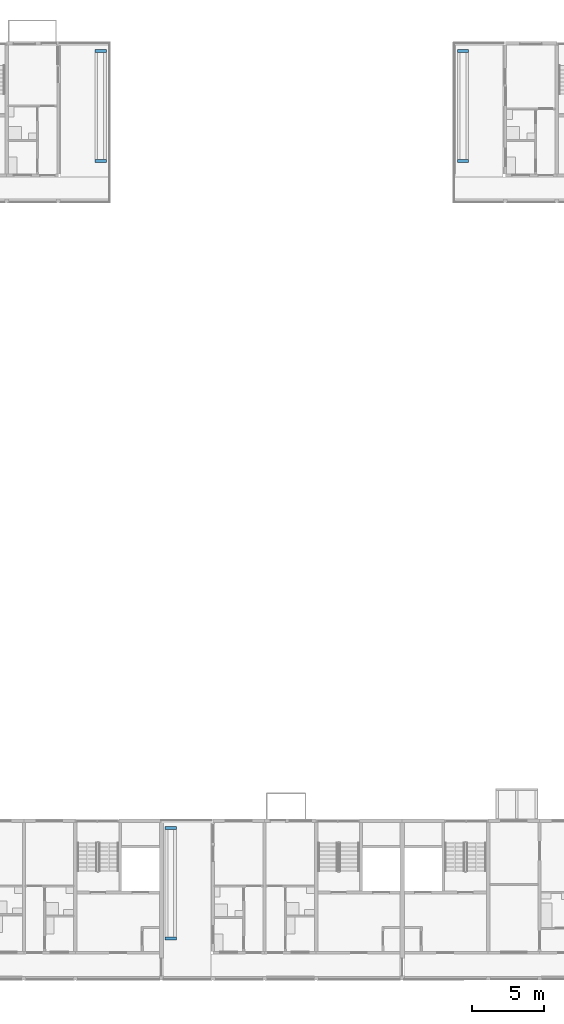
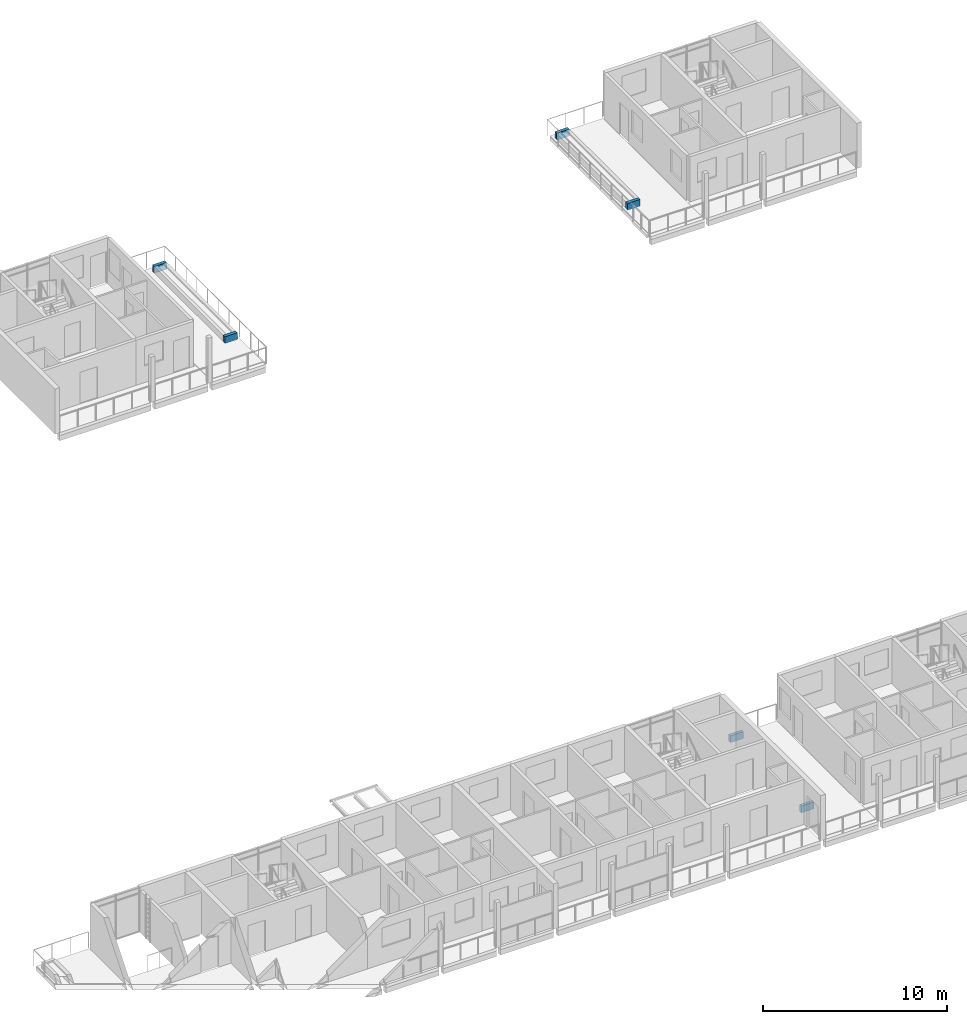
# One storey, part 42 of 64: 6 walls.
"""IFC4 building model written with IfcOpenShell, lengths in metres."""

from ifc_helpers import new_model, si_unit, direction, frame, frame_2d, origin, place, context, subcontext, project, spatial, rectangle, extrude, material, layer, layer_set, type_object, element, save


model = new_model("IFC4")

# Units and contexts
model_context = context("Model", 3, precision=1e-05, world=origin(), true_north=direction((0.0, 1.0)))
body_context = subcontext(model_context, "Body", "Model", "MODEL_VIEW")
ifc_project = project(units=[si_unit("LENGTHUNIT", "METRE"), si_unit("AREAUNIT", "SQUARE_METRE"), si_unit("VOLUMEUNIT", "CUBIC_METRE"), si_unit("PLANEANGLEUNIT", "RADIAN"), si_unit("MASSUNIT", "GRAM", prefix="KILO")], contexts=[model_context])

# Site, building, storey
site_placement = place(None, origin())
site = spatial("IfcSite", under=ifc_project, at=site_placement, CompositionType="ELEMENT")
building_placement = place(site_placement, origin())
building = spatial("IfcBuilding", under=site, at=building_placement, Name="Ridgestep Commons", CompositionType="ELEMENT")
storey_placement = place(building_placement, frame((0.0, 0.0, 33.0)))
storey = spatial("IfcBuildingStorey", under=building, at=storey_placement, Name="L11", CompositionType="ELEMENT", Elevation=33.0)

# Walls
ifc_material = material(Name="Facing brick", Category="masonry")
ifc_layer = layer(ifc_material, 0.199951171875)
ifc_layer_set = layer_set([ifc_layer], Name="Planter wall 200")
wall_type = type_object("IfcWallType", Name="Planter wall 200", PredefinedType="SOLIDWALL", material=ifc_layer_set)
for number, where, z_axis, x_axis, name in (
    (1, (197.449951171875, 14.64990234375, 0.010009765625), (0.0, 0.0, 1.0), (1.0, 0.0, 0.0), "Planter wall D4R1S"),
    (2, (197.449951171875, 22.35009765625, 0.010009765625), (0.0, 0.0, 1.0), (1.0, 0.0, 0.0), "Planter wall D4R1N"),
    (3, (192.550048828125, 68.89990234375, 0.010009765625), (0.0, 0.0, 1.0), (1.0, 0.0, 0.0), "Planter wall C3R2S"),
    (4, (192.550048828125, 76.60009765625, 0.010009765625), (0.0, 0.0, 1.0), (1.0, 0.0, 0.0), "Planter wall C3R2N"),
):
    element("IfcWall", number, at=place(storey_placement, frame(where, z_axis=z_axis, x_axis=x_axis)), inside=storey, type_object=wall_type, Name=name, PredefinedType="SOLIDWALL", context=body_context, shape_type="SweptSolid", body=[
        extrude(rectangle(XDim=0.800048828125, YDim=0.199951171875, at=frame_2d((0.39990234375, 0.0))), origin(), (0.0, 0.0, 1.0), 0.449951171875),
    ])
for number, where, z_axis, x_axis, name in (
    (5, (217.85009765625, 68.89990234375, 0.010009765625), (0.0, 0.0, 1.0), (1.0, 0.0, 0.0), "Planter wall C5R2S"),
    (6, (217.85009765625, 76.60009765625, 0.010009765625), (0.0, 0.0, 1.0), (1.0, 0.0, 0.0), "Planter wall C5R2N"),
):
    element("IfcWall", number, at=place(storey_placement, frame(where, z_axis=z_axis, x_axis=x_axis)), inside=storey, type_object=wall_type, Name=name, PredefinedType="SOLIDWALL", context=body_context, shape_type="SweptSolid", body=[
        extrude(rectangle(XDim=0.7998046875, YDim=0.199951171875, at=frame_2d((0.39990234375, 0.0))), origin(), (0.0, 0.0, 1.0), 0.449951171875),
    ])

save(model, "model.ifc")
